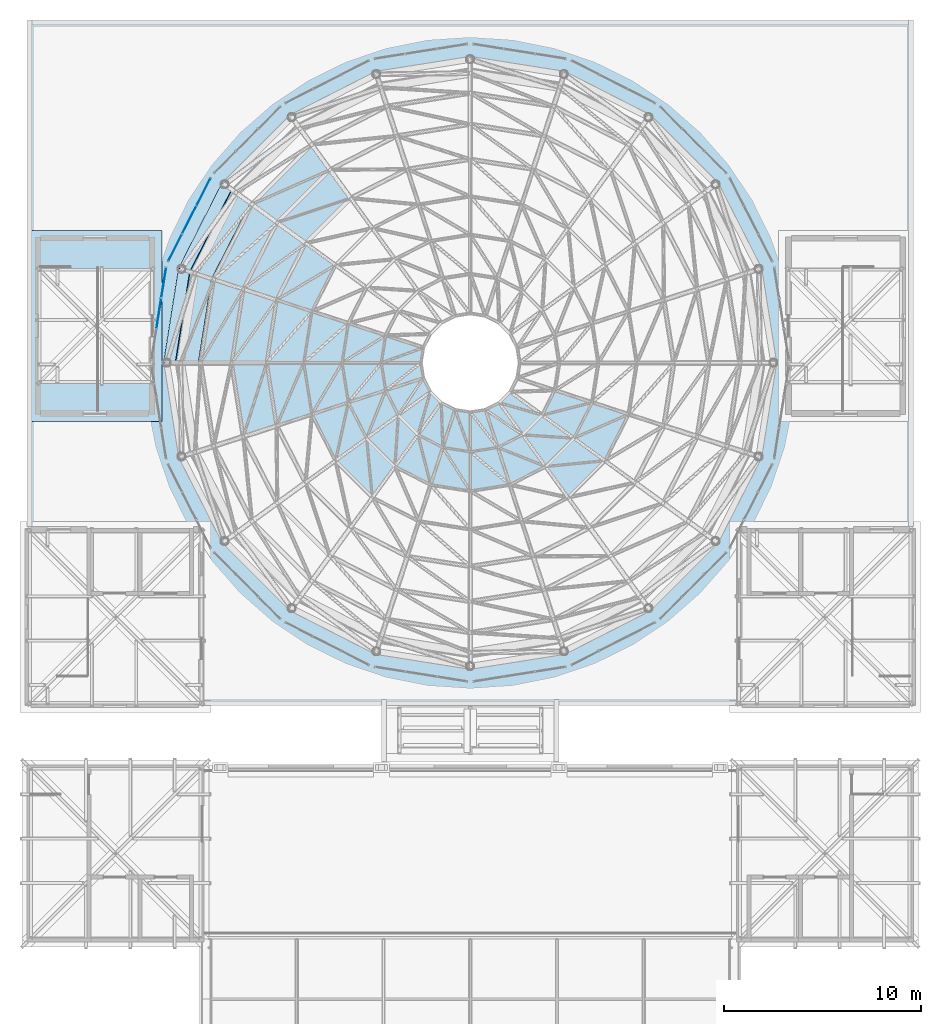
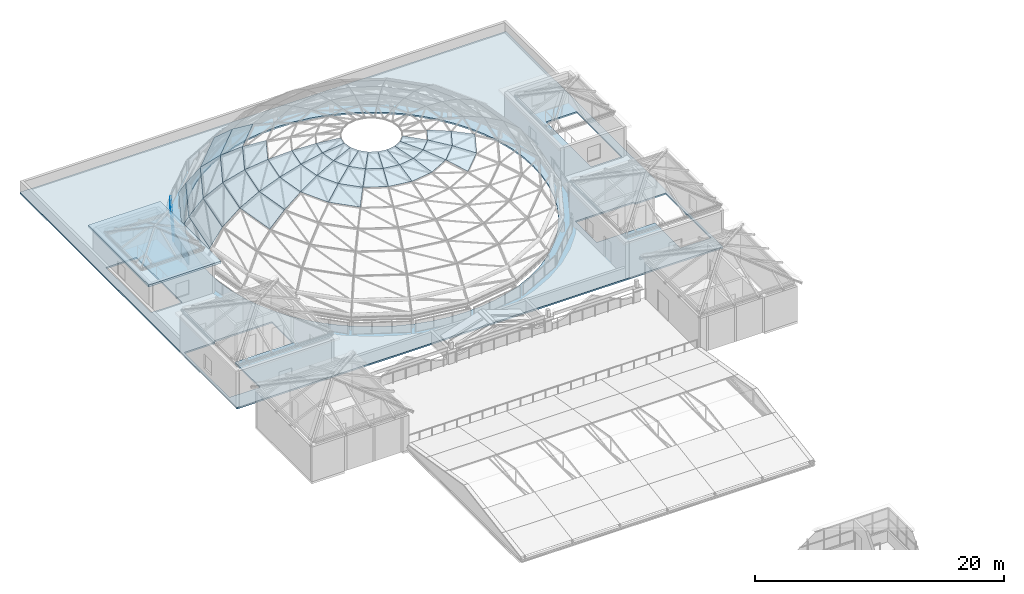
# One storey, part 43 of 69: 44 plates, 2 slabs, 2 elements without a shape of their own.
"""IFC4 building model written with IfcOpenShell, lengths in metres."""

import ifcopenshell
import ifcopenshell.guid

model = None  # the IFC model being written
_history = None  # IfcOwnerHistory: only IFC2X3 demands one
_inside = {}  # id of a spatial element -> (the spatial element, [elements in it])
_under = {}  # id of a project, library or spatial element -> (it, [spatial elements below it])
_declared = {}  # id of a project -> (the project, [libraries it declares])
_typed = {}  # id of a type object -> (the type object, [elements of that type])
_made_of = {}  # id of a material, layer set ... -> (it, [elements and type objects made of it])


def new_model(schema):
    """Start an empty IFC model of exactly this schema.

    Asked for "IFC4X3", IfcOpenShell would pick the latest addendum, in which some entities
    have other attributes; the version numbers below select the first issue.
    IFC2X3 requires an IfcOwnerHistory on every rooted entity: one is made here for all.
    """
    global model, _history
    if schema == "IFC4X3":
        model = ifcopenshell.file(schema_version=(4, 3, 0, 0))
    else:
        model = ifcopenshell.file(schema=schema)
    _inside.clear()
    _under.clear()
    _declared.clear()
    _typed.clear()
    _made_of.clear()
    _history = None
    if model.schema == "IFC2X3":
        org = make("IfcOrganization", Name="unknown")
        user = make(
            "IfcPersonAndOrganization",
            ThePerson=make("IfcPerson", FamilyName="unknown"),
            TheOrganization=org,
        )
        app = make(
            "IfcApplication",
            ApplicationDeveloper=org,
            Version="unknown",
            ApplicationFullName="unknown",
            ApplicationIdentifier="unknown",
        )
        _history = make(
            "IfcOwnerHistory",
            OwningUser=user,
            OwningApplication=app,
            ChangeAction="ADDED",
            CreationDate=0,
        )
    return model


def make(cls, **values):
    """One entity of the class cls with the attributes given. An attribute that is None is left unset."""
    return model.create_entity(
        cls, **{name: value for name, value in values.items() if value is not None}
    )


def rooted(cls, **values):
    """An entity with a GlobalId (a new one), such as an element, a storey or a relation."""
    return make(cls, GlobalId=ifcopenshell.guid.new(), OwnerHistory=_history, **values)


def si_unit(unit_type, name, prefix=None):
    """IfcSIUnit, for example si_unit("LENGTHUNIT", "METRE", prefix="MILLI")."""
    return make("IfcSIUnit", UnitType=unit_type, Prefix=prefix, Name=name)


def assignment(units):
    """IfcUnitAssignment: the units of a project."""
    return None if units is None else make("IfcUnitAssignment", Units=units)


def point(xyz):
    """IfcCartesianPoint."""
    return None if xyz is None else make("IfcCartesianPoint", Coordinates=xyz)


def direction(xyz):
    """IfcDirection."""
    return None if xyz is None else make("IfcDirection", DirectionRatios=xyz)


def frame(location, z_axis=None, x_axis=None):
    """IfcAxis2Placement3D, a coordinate frame: its origin and axes. An axis left out is left unset."""
    return make(
        "IfcAxis2Placement3D",
        Location=point(location),
        Axis=direction(z_axis),
        RefDirection=direction(x_axis),
    )


def frame_2d(location, x_axis=None):
    """IfcAxis2Placement2D, a coordinate frame in the plane: its origin and x axis."""
    return make(
        "IfcAxis2Placement2D", Location=point(location), RefDirection=direction(x_axis)
    )


def origin():
    """The frame at (0, 0, 0) with its axes left unset."""
    return frame((0.0, 0.0, 0.0))


def origin_2d():
    """The frame at (0, 0) in the plane with its x axis left unset."""
    return frame_2d((0.0, 0.0))


def place(relative_to, where):
    """IfcLocalPlacement: puts the frame where relative to a parent placement (None: the world)."""
    return make(
        "IfcLocalPlacement", PlacementRelTo=relative_to, RelativePlacement=where
    )


def context(
    kind, dimensions, precision=None, world=None, true_north=None, identifier=None
):
    """IfcGeometricRepresentationContext, for example the 3D "Model" context."""
    return make(
        "IfcGeometricRepresentationContext",
        ContextIdentifier=identifier,
        ContextType=kind,
        CoordinateSpaceDimension=dimensions,
        Precision=precision,
        WorldCoordinateSystem=world,
        TrueNorth=true_north,
    )


def subcontext(parent, identifier, kind, view, scale=None):
    """IfcGeometricRepresentationSubContext, for example "Body" below "Model"."""
    return make(
        "IfcGeometricRepresentationSubContext",
        ContextIdentifier=identifier,
        ContextType=kind,
        ParentContext=parent,
        TargetScale=scale,
        TargetView=view,
    )


def project(units=None, contexts=None):
    """IfcProject with its units and contexts."""
    return rooted(
        "IfcProject",
        Name="project",
        RepresentationContexts=contexts,
        UnitsInContext=assignment(units),
    )


def spatial(cls, under=None, at=None, **own):
    """A site, building, storey or space (cls), placed at a placement, below another one or the project."""
    s = rooted(cls, ObjectPlacement=at, **own)
    if under is not None:
        _under.setdefault(under.id(), (under, []))[1].append(s)
    return s


def polyline(points):
    """IfcPolyline through the points."""
    return make("IfcPolyline", Points=[point(p) for p in points])


def profile(cls, at=None, kind="AREA", **sizes):
    """A parametric profile (cls). Its sizes go by their IFC names, for example OverallWidth=200.0."""
    return make(cls, ProfileType=kind, Position=at, **sizes)


def rectangle(**sizes):
    """IfcRectangleProfileDef."""
    return profile("IfcRectangleProfileDef", **sizes)


def outline(outer, holes=None, kind="AREA"):
    """IfcArbitraryClosedProfileDef: a profile drawn as a closed curve; with holes, ...WithVoids."""
    if holes is None:
        return make("IfcArbitraryClosedProfileDef", ProfileType=kind, OuterCurve=outer)
    return make(
        "IfcArbitraryProfileDefWithVoids",
        ProfileType=kind,
        OuterCurve=outer,
        InnerCurves=holes,
    )


def extrude(swept, where, along, depth):
    """IfcExtrudedAreaSolid: the profile swept, set in the frame where, extruded along a direction by depth."""
    return make(
        "IfcExtrudedAreaSolid",
        SweptArea=swept,
        Position=where,
        ExtrudedDirection=direction(along),
        Depth=depth,
    )


def shape(context_of_items, identifier, shape_type, items):
    """IfcShapeRepresentation: the items that make up one representation, for example the "Body"."""
    return make(
        "IfcShapeRepresentation",
        ContextOfItems=context_of_items,
        RepresentationIdentifier=identifier,
        RepresentationType=shape_type,
        Items=items,
    )


def material(Name=None, Category=None):
    """IfcMaterial."""
    return make("IfcMaterial", Name=Name, Category=Category)


def layer(
    of_material, thickness, ventilated=None, Name=None, Category=None, Priority=None
):
    """IfcMaterialLayer: one layer of a wall or slab, of a material (None: an air gap)."""
    return make(
        "IfcMaterialLayer",
        Material=of_material,
        LayerThickness=thickness,
        IsVentilated=ventilated,
        Name=Name,
        Category=Category,
        Priority=Priority,
    )


def layer_set(layers, Name=None):
    """IfcMaterialLayerSet."""
    return make("IfcMaterialLayerSet", MaterialLayers=layers, LayerSetName=Name)


def made_of(thing, what):
    """Note that an element or type object is made of a material, layer set ...; save() writes the relation."""
    if what is not None:
        _made_of.setdefault(what.id(), (what, []))[1].append(thing)
    return thing


def type_object(cls, material=None, **own):
    """A type object (cls), such as IfcWallType, which elements share."""
    return made_of(rooted(cls, **own), material)


def element(
    cls,
    number,
    at=None,
    inside=None,
    cuts=None,
    type_object=None,
    material=None,
    context=None,
    identifier="Body",
    shape_type=None,
    held_by="IfcProductDefinitionShape",
    body=None,
    shapes=None,
    **own,
):
    """One element of the class cls, such as IfcWall. Its Tag is "e" and its number.

    at: its placement. inside: the storey or other place that contains it. cuts: it is an
    opening in that element (IfcRelVoidsElement). A single representation is given by context,
    identifier, shape_type and body (its items); several are given by shapes. held_by: the class
    of the entity that holds the representations. save() writes the other relations.
    """
    e = rooted(cls, Tag="e%d" % number, ObjectPlacement=at, **own)
    if body is not None:
        shapes = [shape(context, identifier, shape_type, body)]
    if shapes is not None:
        e.Representation = make(held_by, Representations=shapes)
    if inside is not None:
        _inside.setdefault(inside.id(), (inside, []))[1].append(e)
    if cuts is not None:
        rooted(
            "IfcRelVoidsElement", RelatingBuildingElement=cuts, RelatedOpeningElement=e
        )
    if type_object is not None:
        _typed.setdefault(type_object.id(), (type_object, []))[1].append(e)
    return made_of(e, material)


def aggregate(whole, parts):
    """IfcRelAggregates: a whole, such as a stair, and the parts it consists of."""
    return rooted("IfcRelAggregates", RelatingObject=whole, RelatedObjects=parts)


def save(model, path):
    """Write the relations noted so far, then the file.

    IfcRelAggregates (storeys below a building ...), IfcRelContainedInSpatialStructure (elements
    in a storey), IfcRelDefinesByType, IfcRelAssociatesMaterial and IfcRelDeclares: one each for
    every whole, place, type object, material and project.
    """
    for whole, parts in _under.values():
        aggregate(whole, parts)
    for where, things in _inside.values():
        rooted(
            "IfcRelContainedInSpatialStructure",
            RelatedElements=things,
            RelatingStructure=where,
        )
    for kind, things in _typed.values():
        rooted("IfcRelDefinesByType", RelatedObjects=things, RelatingType=kind)
    for what, things in _made_of.values():
        rooted("IfcRelAssociatesMaterial", RelatedObjects=things, RelatingMaterial=what)
    for by, libraries in _declared.values():
        rooted("IfcRelDeclares", RelatingContext=by, RelatedDefinitions=libraries)
    model.write(path)


model = new_model("IFC4")

# Units and contexts
model_context = context("Model", 3, precision=1e-05, world=origin(), true_north=direction((0.0, 1.0)))
body_context = subcontext(model_context, "Body", "Model", "MODEL_VIEW")
ifc_project = project(units=[si_unit("LENGTHUNIT", "METRE"), si_unit("AREAUNIT", "SQUARE_METRE"), si_unit("VOLUMEUNIT", "CUBIC_METRE"), si_unit("PLANEANGLEUNIT", "RADIAN"), si_unit("MASSUNIT", "GRAM", prefix="KILO")], contexts=[model_context])

# Site, building, storey
site_placement = place(None, origin())
site = spatial("IfcSite", under=ifc_project, at=site_placement, CompositionType="ELEMENT")
building_placement = place(site_placement, origin())
building = spatial("IfcBuilding", under=site, at=building_placement, Name="Kallimachos Central Library", CompositionType="ELEMENT")
storey_placement = place(building_placement, frame((0.0, 0.0, 23.39990234375)))
storey = spatial("IfcBuildingStorey", under=building, at=storey_placement, Name="L05", CompositionType="ELEMENT", Elevation=23.39990234375)

# Plates
ifc_material_1 = material(Name="Laminated glass", Category="glass")
ifc_layer_1 = layer(ifc_material_1, 0.030029296875)
ifc_layer_set_1 = layer_set([ifc_layer_1], Name="Dome glass panel 30")
plate_type_1 = type_object("IfcPlateType", Name="Dome glass panel 30", PredefinedType="SHEET", material=ifc_layer_set_1)
plate_1_placement = place(storey_placement, frame((85.607177734375, 105.177490234375, 8.371826171875), z_axis=(-0.125332004224, 0.019854296883, 0.991916173682), x_axis=(-0.943536520908, 0.306634201661, -0.12535669142)))
element("IfcPlate", 1, at=plate_1_placement, inside=storey, type_object=plate_type_1, Name="Dome glass panel", PredefinedType="SHEET", context=body_context, shape_type="SweptSolid", body=[
    extrude(outline(polyline([(0.0, 0.0), (2.0350755612607627, -9.280770596475918e-17), (1.8149171829137658, 1.4019283896226322), (-0.12233582171692643, 0.777700075567828), (0.0, 0.0)])), origin(), (0.0, 0.0, -1.0), 0.030029296875),
])
plate_2_placement = place(storey_placement, frame((85.484130859375, 104.39990234375, 8.371826171875), z_axis=(-0.125331316641, -0.019858637576, 0.991916173667), x_axis=(-0.992111820662, 1.49875e-07, -0.125356034172)))
element("IfcPlate", 2, at=plate_2_placement, inside=storey, type_object=plate_type_1, Name="Dome glass panel", PredefinedType="SHEET", context=body_context, shape_type="SweptSolid", body=[
    extrude(outline(polyline([(0.0, 0.0), (2.035340313574841, 1.734723475976807e-18), (1.8149246355750308, 1.4016438667493565), (-0.12207637568772577, 0.777496750716245), (0.0, 0.0)])), origin(), (0.0, 0.0, -1.0), 0.030029296875),
])
plate_3_placement = place(storey_placement, frame((85.607177734375, 103.62255859375, 8.371826171875), z_axis=(-0.113068264415, -0.057608498402, 0.99191573659), x_axis=(-0.943535797581, -0.306634195286, -0.125362151247)))
element("IfcPlate", 3, at=plate_3_placement, inside=storey, type_object=plate_type_1, Name="Dome glass panel", PredefinedType="SHEET", context=body_context, shape_type="SweptSolid", body=[
    extrude(outline(polyline([(0.0, 0.0), (2.0350755613221274, -1.1275702593849246e-17), (1.8150326973507178, 1.4015967266766933), (-0.12216219838901854, 0.77769609807286), (0.0, 0.0)])), origin(), (0.0, 0.0, -1.0), 0.030029296875),
])
plate_4_placement = place(storey_placement, frame((85.964599609375, 102.921142578125, 8.371826171875), z_axis=(-0.089729242286, -0.089729242286, 0.991915987449), x_axis=(-0.802651995578, -0.583125295248, -0.125358143085)))
element("IfcPlate", 4, at=plate_4_placement, inside=storey, type_object=plate_type_1, Name="Dome glass panel", PredefinedType="SHEET", context=body_context, shape_type="SweptSolid", body=[
    extrude(outline(polyline([(0.0, 0.0), (2.0351845268877033, 2.0122792321330962e-16), (1.814907491156347, 1.4018463780137107), (-0.12219747967578876, 0.7776666038616205), (0.0, 0.0)])), origin(), (0.0, 0.0, -1.0), 0.030029296875),
])
plate_5_placement = place(storey_placement, frame((86.521240234375, 102.364501953125, 8.371826171875), z_axis=(-0.057594257608, -0.11306787808, 0.991916607602), x_axis=(-0.583125640684, -0.802652673725, -0.125352193993)))
element("IfcPlate", 5, at=plate_5_placement, inside=storey, type_object=plate_type_1, Name="Dome glass panel", PredefinedType="SHEET", context=body_context, shape_type="SweptSolid", body=[
    extrude(outline(polyline([(0.0, 0.0), (2.0351845268510993, 1.7607443281164592e-16), (1.8149631366715384, 1.4015686873659563), (-0.12232400000625315, 0.7775584864059989), (0.0, 0.0)])), origin(), (0.0, 0.0, -1.0), 0.030029296875),
])
plate_6_placement = place(storey_placement, frame((87.22265625, 102.00732421875, 8.371826171875), z_axis=(-0.019858637576, -0.125331316641, 0.991916173667), x_axis=(-0.306599184583, -0.94354771404, -0.125358092451)))
element("IfcPlate", 6, at=plate_6_placement, inside=storey, type_object=plate_type_1, Name="Dome glass panel", PredefinedType="SHEET", context=body_context, shape_type="SweptSolid", body=[
    extrude(outline(polyline([(0.0, 0.0), (2.035305918223629, -5.117434254131581e-17), (1.8150436019535456, 1.401629298884149), (-0.12200200393580925, 0.7775470988958623), (0.0, 0.0)])), origin(), (0.0, 0.0, -1.0), 0.030029296875),
])
plate_7_placement = place(storey_placement, frame((88.0, 101.884033203125, 8.371826171875), z_axis=(0.019858637576, -0.125331316641, 0.991916173667), x_axis=(1.48689e-07, -0.992111819918, -0.125356040056)))
element("IfcPlate", 7, at=plate_7_placement, inside=storey, type_object=plate_type_1, Name="Dome glass panel", PredefinedType="SHEET", context=body_context, shape_type="SweptSolid", body=[
    extrude(outline(polyline([(0.0, 0.0), (2.035098098774965, -1.734723475976807e-18), (1.8149250541382458, 1.4016433247707958), (-0.12231835830898213, 0.7774973949707614), (0.0, 0.0)])), origin(), (0.0, 0.0, -1.0), 0.030029296875),
])
plate_8_placement = place(storey_placement, frame((88.77734375, 102.00732421875, 8.371826171875), z_axis=(0.057594257608, -0.11306787808, 0.991916607602), x_axis=(0.306598987848, -0.943547974243, -0.125356615112)))
element("IfcPlate", 8, at=plate_8_placement, inside=storey, type_object=plate_type_1, Name="Dome glass panel", PredefinedType="SHEET", context=body_context, shape_type="SweptSolid", body=[
    extrude(outline(polyline([(0.0, 0.0), (2.0353059182440663, -6.678685382510707e-17), (1.8152107041385026, 1.4015885069538683), (-0.12196088726327411, 0.7776155237245927), (0.0, 0.0)])), origin(), (0.0, 0.0, -1.0), 0.030029296875),
])
plate_9_placement = place(storey_placement, frame((89.478759765625, 102.364501953125, 8.371826171875), z_axis=(0.089729242286, -0.089729242286, 0.991915987449), x_axis=(0.583125295248, -0.802651995578, -0.125358143085)))
element("IfcPlate", 9, at=plate_9_placement, inside=storey, type_object=plate_type_1, Name="Dome glass panel", PredefinedType="SHEET", context=body_context, shape_type="SweptSolid", body=[
    extrude(outline(polyline([(0.0, 0.0), (2.0351845268877033, 2.0122792321330962e-16), (1.814907491156347, 1.4018463780137107), (-0.12219747967578876, 0.7776666038616205), (0.0, 0.0)])), origin(), (0.0, 0.0, -1.0), 0.030029296875),
])
plate_10_placement = place(storey_placement, frame((83.68701171875, 105.801513671875, 8.11669921875), z_axis=(-0.201147794281, 0.031856894976, 0.979042748351), x_axis=(-0.931637370909, 0.302570401301, -0.201253475456)))
element("IfcPlate", 10, at=plate_10_placement, inside=storey, type_object=plate_type_1, Name="Dome glass panel", PredefinedType="SHEET", context=body_context, shape_type="SweptSolid", body=[
    extrude(outline(polyline([(0.0, 0.0), (2.0406174555352194, -1.734723475976807e-18), (1.7274475580152282, 2.0200471652577447), (-0.2171061197127891, 1.4024043114720597), (0.0, 0.0)])), origin(), (0.0, 0.0, -1.0), 0.030029296875),
])
plate_11_placement = place(storey_placement, frame((83.46484375, 104.39990234375, 8.11669921875), z_axis=(-0.201145578016, -0.031858817817, 0.979043141119), x_axis=(-0.979540372133, -6.58988e-07, -0.201247756163)))
element("IfcPlate", 11, at=plate_11_placement, inside=storey, type_object=plate_type_1, Name="Dome glass panel", PredefinedType="SHEET", context=body_context, shape_type="SweptSolid", body=[
    extrude(outline(polyline([(0.0, 0.0), (2.0402871611691547, 1.734723475976807e-18), (1.7272469030405464, 2.020067259029489), (-0.21762157130183088, 1.4020804008555383), (0.0, 0.0)])), origin(), (0.0, 0.0, -1.0), 0.030029296875),
])
plate_12_placement = place(storey_placement, frame((83.68701171875, 102.99853515625, 8.11669921875), z_axis=(-0.181447397895, -0.09246093072, 0.979044339184), x_axis=(-0.931605080628, -0.302678514571, -0.201240380059)))
element("IfcPlate", 12, at=plate_12_placement, inside=storey, type_object=plate_type_1, Name="Dome glass panel", PredefinedType="SHEET", context=body_context, shape_type="SweptSolid", body=[
    extrude(outline(polyline([(0.0, 0.0), (2.0406913388597427, 1.0408340855860843e-17), (1.7272194643852659, 2.0200065673212424), (-0.21735958355655594, 1.402015355490807), (0.0, 0.0)])), origin(), (0.0, 0.0, -1.0), 0.030029296875),
])
plate_13_placement = place(storey_placement, frame((84.3310546875, 101.734375, 8.11669921875), z_axis=(-0.144010592367, -0.143996235814, 0.979043427718), x_axis=(-0.792458391649, -0.575768023743, -0.201248305183)))
element("IfcPlate", 13, at=plate_13_placement, inside=storey, type_object=plate_type_1, Name="Dome glass panel", PredefinedType="SHEET", context=body_context, shape_type="SweptSolid", body=[
    extrude(outline(polyline([(0.0, 0.0), (2.0404168231116144, -9.540979117872439e-17), (1.7273720941125268, 2.020040895959696), (-0.21743100881201105, 1.4022906247351943), (0.0, 0.0)])), origin(), (0.0, 0.0, -1.0), 0.030029296875),
])
plate_14_placement = place(storey_placement, frame((85.33447265625, 100.73095703125, 8.11669921875), z_axis=(-0.09244612001, -0.181460865166, 0.979043241797), x_axis=(-0.575846899746, -0.792402612679, -0.201242260654)))
element("IfcPlate", 14, at=plate_14_placement, inside=storey, type_object=plate_type_1, Name="Dome glass panel", PredefinedType="SHEET", context=body_context, shape_type="SweptSolid", body=[
    extrude(outline(polyline([(0.0, 0.0), (2.0405574010418808, -2.706168622523819e-16), (1.7269657535293008, 2.0200959418193887), (-0.21762137564385742, 1.4019747441040549), (0.0, 0.0)])), origin(), (0.0, 0.0, -1.0), 0.030029296875),
])
plate_15_placement = place(storey_placement, frame((86.5986328125, 100.0869140625, 8.11669921875), z_axis=(-0.031858817817, -0.201145578016, 0.979043141119), x_axis=(-0.302713516239, -0.931592221414, -0.201247261066)))
element("IfcPlate", 15, at=plate_15_placement, inside=storey, type_object=plate_type_1, Name="Dome glass panel", PredefinedType="SHEET", context=body_context, shape_type="SweptSolid", body=[
    extrude(outline(polyline([(0.0, 0.0), (2.0404638977366996, -1.9081958235744878e-17), (1.727218055636037, 2.020074029068446), (-0.2174702768424365, 1.402065211869158), (0.0, 0.0)])), origin(), (0.0, 0.0, -1.0), 0.030029296875),
])
plate_16_placement = place(storey_placement, frame((88.0, 99.864990234375, 8.11669921875), z_axis=(0.031858817817, -0.201145578016, 0.979043141119), x_axis=(-1.07812e-07, -0.979540377052, -0.201247732222)))
element("IfcPlate", 16, at=plate_16_placement, inside=storey, type_object=plate_type_1, Name="Dome glass panel", PredefinedType="SHEET", context=body_context, shape_type="SweptSolid", body=[
    extrude(outline(polyline([(0.0, 0.0), (2.0405263067684203, 0.0), (1.7272453532670506, 2.0200685841533828), (-0.2173835013622884, 1.4020786686128224), (0.0, 0.0)])), origin(), (0.0, 0.0, -1.0), 0.030029296875),
])
plate_17_placement = place(storey_placement, frame((89.4013671875, 100.0869140625, 8.11669921875), z_axis=(0.09244612001, -0.181460865166, 0.979043241797), x_axis=(0.302713494178, -0.931591709031, -0.201249666104)))
element("IfcPlate", 17, at=plate_17_placement, inside=storey, type_object=plate_type_1, Name="Dome glass panel", PredefinedType="SHEET", context=body_context, shape_type="SweptSolid", body=[
    extrude(outline(polyline([(0.0, 0.0), (2.0404638977475056, 1.0234868508263162e-16), (1.7273694871120813, 2.020173068223036), (-0.21730675184781617, 1.4020235453957637), (0.0, 0.0)])), origin(), (0.0, 0.0, -1.0), 0.030029296875),
])
plate_18_placement = place(storey_placement, frame((90.66552734375, 100.73095703125, 8.11669921875), z_axis=(0.144010592367, -0.143996235814, 0.979043427718), x_axis=(0.575845968847, -0.792401764456, -0.201248264215)))
element("IfcPlate", 18, at=plate_18_placement, inside=storey, type_object=plate_type_1, Name="Dome glass panel", PredefinedType="SHEET", context=body_context, shape_type="SweptSolid", body=[
    extrude(outline(polyline([(0.0, 0.0), (2.040557400991909, -2.42861286636753e-17), (1.7273731451893326, 2.0200192686262053), (-0.21729597655061939, 1.402311555392789), (0.0, 0.0)])), origin(), (0.0, 0.0, -1.0), 0.030029296875),
])
plate_19_placement = place(storey_placement, frame((91.6689453125, 101.734375, 8.11669921875), z_axis=(0.181447397895, -0.09246093072, 0.979044339184), x_axis=(0.792459642925, -0.575768162839, -0.201242979991)))
element("IfcPlate", 19, at=plate_19_placement, inside=storey, type_object=plate_type_1, Name="Dome glass panel", PredefinedType="SHEET", context=body_context, shape_type="SweptSolid", body=[
    extrude(outline(polyline([(0.0, 0.0), (2.0404168230030773, 1.5612511283791264e-17), (1.7273555602155906, 2.020070244780957), (-0.2174851096542516, 1.4019958889649327), (0.0, 0.0)])), origin(), (0.0, 0.0, -1.0), 0.030029296875),
])
plate_20_placement = place(storey_placement, frame((81.785888671875, 106.4189453125, 7.7060546875), z_axis=(-0.282758662531, 0.044765041952, 0.958145933448), x_axis=(-0.91214970962, 0.296436270499, -0.283034352637)))
element("IfcPlate", 20, at=plate_20_placement, inside=storey, type_object=plate_type_1, Name="Dome glass panel", PredefinedType="SHEET", context=body_context, shape_type="SweptSolid", body=[
    extrude(outline(polyline([(0.0, 0.0), (2.041671340879096, -4.163336342344337e-17), (1.6427663931694807, 2.6268456630248074), (-0.30701269217106125, 2.0209921183657635), (0.0, 0.0)])), origin(), (0.0, 0.0, -1.0), 0.030029296875),
])
plate_21_placement = place(storey_placement, frame((81.46630859375, 104.39990234375, 7.7060546875), z_axis=(-0.282760860823, -0.044767743818, 0.95814515847), x_axis=(-0.959106744278, 5.10014e-07, -0.283044613234)))
element("IfcPlate", 21, at=plate_21_placement, inside=storey, type_object=plate_type_1, Name="Dome glass panel", PredefinedType="SHEET", context=body_context, shape_type="SweptSolid", body=[
    extrude(outline(polyline([(0.0, 0.0), (2.0417387195742798, 6.938893903907228e-18), (1.6432023034632603, 2.6266577048495647), (-0.30651243800659056, 2.0210680495221838), (0.0, 0.0)])), origin(), (0.0, 0.0, -1.0), 0.030029296875),
])
plate_22_placement = place(storey_placement, frame((81.785888671875, 102.380859375, 7.7060546875), z_axis=(-0.25507469904, -0.129982986169, 0.958144728742), x_axis=(-0.912183163606, -0.296328667701, -0.283039214125)))
element("IfcPlate", 22, at=plate_22_placement, inside=storey, type_object=plate_type_1, Name="Dome glass panel", PredefinedType="SHEET", context=body_context, shape_type="SweptSolid", body=[
    extrude(outline(polyline([(0.0, 0.0), (2.041598982027025, 9.367506770274758e-17), (1.6427713646739002, 2.6269423226505966), (-0.30700891771943883, 2.020998929323573), (0.0, 0.0)])), origin(), (0.0, 0.0, -1.0), 0.030029296875),
])
plate_23_placement = place(storey_placement, frame((82.714111328125, 100.5595703125, 7.7060546875), z_axis=(-0.202438057846, -0.202423190186, 0.958145962164), x_axis=(-0.775907941136, -0.563785025575, -0.283042950485)))
element("IfcPlate", 23, at=plate_23_placement, inside=storey, type_object=plate_type_1, Name="Dome glass panel", PredefinedType="SHEET", context=body_context, shape_type="SweptSolid", body=[
    extrude(outline(polyline([(0.0, 0.0), (2.041766525736477, -1.249000902703301e-16), (1.6432592417412746, 2.626772655984004), (-0.30644625856870955, 2.02105242726169), (0.0, 0.0)])), origin(), (0.0, 0.0, -1.0), 0.030029296875),
])
plate_24_placement = place(storey_placement, frame((91.840576171875, 99.114013671875, 7.7060546875), z_axis=(0.202438057846, -0.202423190186, 0.958145962164), x_axis=(0.563708989921, -0.775965786745, -0.283035814841)))
element("IfcPlate", 24, at=plate_24_placement, inside=storey, type_object=plate_type_1, Name="Dome glass panel", PredefinedType="SHEET", context=body_context, shape_type="SweptSolid", body=[
    extrude(outline(polyline([(0.0, 0.0), (2.0416288921893755, 4.85722573273506e-17), (1.642870090538563, 2.62673448595942), (-0.3069668464320392, 2.020973423457789), (0.0, 0.0)])), origin(), (0.0, 0.0, -1.0), 0.030029296875),
])
plate_25_placement = place(storey_placement, frame((93.285888671875, 100.5595703125, 7.7060546875), z_axis=(0.25507469904, -0.129982986169, 0.958144728742), x_axis=(0.775907022147, -0.563785915189, -0.283043697719)))
element("IfcPlate", 25, at=plate_25_placement, inside=storey, type_object=plate_type_1, Name="Dome glass panel", PredefinedType="SHEET", context=body_context, shape_type="SweptSolid", body=[
    extrude(outline(polyline([(0.0, 0.0), (2.041766525714073, 4.163336342344337e-17), (1.6430176431073793, 2.62695427510956), (-0.30660264382451397, 2.021060604407029), (0.0, 0.0)])), origin(), (0.0, 0.0, -1.0), 0.030029296875),
])
plate_26_placement = place(storey_placement, frame((81.1298828125, 109.391357421875, 7.128173828125), z_axis=(-0.326814272817, 0.166520879886, 0.93030276128), x_axis=(-0.753863276457, 0.547734234301, -0.36287376453)))
element("IfcPlate", 26, at=plate_26_placement, inside=storey, type_object=plate_type_1, Name="Dome glass panel", PredefinedType="SHEET", context=body_context, shape_type="SweptSolid", body=[
    extrude(outline(polyline([(0.0, 0.0), (2.0454319090529953, -4.163336342344337e-17), (1.5710350329397023, 3.218425190830349), (-0.3872052458013847, 2.6284606936499486), (0.0, 0.0)])), origin(), (0.0, 0.0, -1.0), 0.030029296875),
])
plate_27_placement = place(storey_placement, frame((79.923583984375, 107.024169921875, 7.128173828125), z_axis=(-0.36227698329, 0.057379461971, 0.930302630719), x_axis=(-0.886237494394, 0.287930415647, -0.362876258903)))
element("IfcPlate", 27, at=plate_27_placement, inside=storey, type_object=plate_type_1, Name="Dome glass panel", PredefinedType="SHEET", context=body_context, shape_type="SweptSolid", body=[
    extrude(outline(polyline([(0.0, 0.0), (2.0451804560516074, -1.3183898417423734e-16), (1.5711455379570305, 3.218484226856462), (-0.38735054256062673, 2.628574299943797), (0.0, 0.0)])), origin(), (0.0, 0.0, -1.0), 0.030029296875),
])
plate_28_placement = place(storey_placement, frame((79.508056640625, 104.39990234375, 7.128173828125), z_axis=(-0.362273431763, -0.057381299347, 0.930303900413), x_axis=(-0.931839279246, 9.9191e-07, -0.362871268708)))
element("IfcPlate", 28, at=plate_28_placement, inside=storey, type_object=plate_type_1, Name="Dome glass panel", PredefinedType="SHEET", context=body_context, shape_type="SweptSolid", body=[
    extrude(outline(polyline([(0.0, 0.0), (2.0454096459824194, 0.0), (1.5710693257300832, 3.2184392309447873), (-0.38720730330172376, 2.6283516653927603), (0.0, 0.0)])), origin(), (0.0, 0.0, -1.0), 0.030029296875),
])
plate_29_placement = place(storey_placement, frame((81.88818359375, 112.81201171875, 6.385986328125), z_axis=(-0.344906838726, 0.344906838726, 0.872971102156), x_axis=(-0.514590986254, 0.708336158693, -0.483172850183)))
element("IfcPlate", 29, at=plate_29_placement, inside=storey, type_object=plate_type_1, Name="Dome glass panel", PredefinedType="SHEET", context=body_context, shape_type="SweptSolid", body=[
    extrude(outline(polyline([(0.0, 0.0), (2.051462405480206, -1.5265566588595902e-16), (1.5287856097182972, 3.77922759893425), (-0.44567065788857074, 3.222432799742851), (0.0, 0.0)])), origin(), (0.0, 0.0, -1.0), 0.030029296875),
])
plate_30_placement = place(storey_placement, frame((79.587890625, 110.51171875, 6.385986328125), z_axis=(-0.434598869275, 0.221427079349, 0.87297988027), x_axis=(-0.708342114555, 0.514594020767, -0.483160886806)))
element("IfcPlate", 30, at=plate_30_placement, inside=storey, type_object=plate_type_1, Name="Dome glass panel", PredefinedType="SHEET", context=body_context, shape_type="SweptSolid", body=[
    extrude(outline(polyline([(0.0, 0.0), (2.0514624052875705, 1.249000902703301e-16), (1.529071391987081, 3.779028679352937), (-0.4455599017620744, 3.222543945494296), (0.0, 0.0)])), origin(), (0.0, 0.0, -1.0), 0.030029296875),
])
plate_31_placement = place(storey_placement, frame((78.111083984375, 107.613037109375, 6.385986328125), z_axis=(-0.481750522697, 0.076315913688, 0.872978988979), x_axis=(-0.832662169385, 0.270612765743, -0.483158817255)))
element("IfcPlate", 31, at=plate_31_placement, inside=storey, type_object=plate_type_1, Name="Dome glass panel", PredefinedType="SHEET", context=body_context, shape_type="SweptSolid", body=[
    extrude(outline(polyline([(0.0, 0.0), (2.0515467349962972, 5.551115123125783e-17), (1.5288296854103376, 3.779318631732092), (-0.44566259442921047, 3.222535442115534), (0.0, 0.0)])), origin(), (0.0, 0.0, -1.0), 0.030029296875),
])
plate_32_placement = place(storey_placement, frame((77.60205078125, 104.39990234375, 6.385986328125), z_axis=(-0.481754063023, -0.076319143399, 0.872976752904), x_axis=(-0.875530281587, -1.90506e-07, -0.483163249869)))
element("IfcPlate", 32, at=plate_32_placement, inside=storey, type_object=plate_type_1, Name="Dome glass panel", PredefinedType="SHEET", context=body_context, shape_type="SweptSolid", body=[
    extrude(outline(polyline([(0.0, 0.0), (2.0514939150645626, 0.0), (1.5288697455784366, 3.779088048185158), (-0.4456733715486618, 3.2225339516935962), (0.0, 0.0)])), origin(), (0.0, 0.0, -1.0), 0.030029296875),
])
plate_33_placement = place(storey_placement, frame((80.83251953125, 114.26513671875, 5.394775390625), z_axis=(-0.446723515865, 0.446723515865, 0.775162048056), x_axis=(-0.45782923703, 0.630238493172, -0.627050102819)))
element("IfcPlate", 33, at=plate_33_placement, inside=storey, type_object=plate_type_1, Name="Dome glass panel", PredefinedType="SHEET", context=body_context, shape_type="SweptSolid", body=[
    extrude(outline(polyline([(0.0, 0.0), (2.0674372158181233, 1.5265566588595902e-16), (1.5409070925067554, 4.286729437188295), (-0.46511774423140273, 3.7867423679695147), (0.0, 0.0)])), origin(), (0.0, 0.0, -1.0), 0.030029296875),
])
plate_34_placement = place(storey_placement, frame((78.134765625, 111.5673828125, 5.394775390625), z_axis=(-0.562907142311, 0.286819828693, 0.775158006476), x_axis=(-0.630141814249, 0.457961019476, -0.62705103347)))
element("IfcPlate", 34, at=plate_34_placement, inside=storey, type_object=plate_type_1, Name="Dome glass panel", PredefinedType="SHEET", context=body_context, shape_type="SweptSolid", body=[
    extrude(outline(polyline([(0.0, 0.0), (2.067395151876212, -2.7755575615628914e-17), (1.5406518662418782, 4.286946787489454), (-0.4653235458709106, 3.7864791201857346), (0.0, 0.0)])), origin(), (0.0, 0.0, -1.0), 0.030029296875),
])
plate_35_placement = place(storey_placement, frame((76.40283203125, 108.168212890625, 5.394775390625), z_axis=(-0.623990542449, 0.098828209166, 0.775157266629), x_axis=(-0.740860095709, 0.240658528864, -0.627064423381)))
element("IfcPlate", 35, at=plate_35_placement, inside=storey, type_object=plate_type_1, Name="Dome glass panel", PredefinedType="SHEET", context=body_context, shape_type="SweptSolid", body=[
    extrude(outline(polyline([(0.0, 0.0), (2.0674634791162365, 1.249000902703301e-16), (1.541324174915292, 4.286859846101945), (-0.4646390280764961, 3.7868975434156824), (0.0, 0.0)])), origin(), (0.0, 0.0, -1.0), 0.030029296875),
])
plate_36_placement = place(storey_placement, frame((76.83203125, 112.51416015625, 4.098388671875), z_axis=(-0.727132424809, 0.370480641481, 0.577946823747), x_axis=(-0.471445000162, 0.342480092095, -0.81267890236)))
element("IfcPlate", 36, at=plate_36_placement, inside=storey, type_object=plate_type_1, Name="Dome glass panel", PredefinedType="SHEET", context=body_context, shape_type="SweptSolid", body=[
    extrude(outline(polyline([(0.0, 0.0), (2.01015085108074, -2.220446049250313e-16), (1.5831047735880786, 4.665892777466114), (-0.3935223267552095, 4.301222083950132), (0.0, 0.0)])), origin(), (0.0, 0.0, -1.0), 0.030029296875),
])
plate_37_placement = place(storey_placement, frame((74.87109375, 108.665771484375, 4.098388671875), z_axis=(-0.8060385409, 0.127668681023, 0.577929561858), x_axis=(-0.554162036955, 0.180137895689, -0.812683687134)))
element("IfcPlate", 37, at=plate_37_placement, inside=storey, type_object=plate_type_1, Name="Dome glass panel", PredefinedType="SHEET", context=body_context, shape_type="SweptSolid", body=[
    extrude(outline(polyline([(0.0, 0.0), (2.009984927371299, -8.326672684688674e-17), (1.5826056906293127, 4.666111377968158), (-0.3940876697047179, 4.301009742815989), (0.0, 0.0)])), origin(), (0.0, 0.0, -1.0), 0.030029296875),
])
plate_38_placement = place(storey_placement, frame((75.88427734375, 113.20263671875, 2.46484375), z_axis=(-0.762180166759, 0.388324587715, 0.517962747671), x_axis=(-0.422850978797, 0.307203910355, -0.852539035583)))
element("IfcPlate", 38, at=plate_38_placement, inside=storey, type_object=plate_type_1, Name="Dome glass panel", PredefinedType="SHEET", context=body_context, shape_type="SweptSolid", body=[
    extrude(outline(polyline([(0.0, 0.0), (1.1253944591259133, -4.163336342344337e-17), (0.7272713434482807, 4.853290799176234), (-0.38313211420523563, 4.669703797291701), (0.0, 0.0)])), origin(), (0.0, 0.0, -1.0), 0.030029296875),
])
plate_39_placement = place(storey_placement, frame((73.75732421875, 109.02783203125, 2.46484375), z_axis=(-0.84486379975, 0.133824012983, 0.517973255507), x_axis=(-0.497119113297, 0.16137941312, -0.852542827203)))
element("IfcPlate", 39, at=plate_39_placement, inside=storey, type_object=plate_type_1, Name="Dome glass panel", PredefinedType="SHEET", context=body_context, shape_type="SweptSolid", body=[
    extrude(outline(polyline([(0.0, 0.0), (1.1254776860222402, 2.7755575615628914e-17), (0.7279770012140806, 4.853264390378992), (-0.38238756295625215, 4.670013721556641), (0.0, 0.0)])), origin(), (0.0, 0.0, -1.0), 0.030029296875),
])

# Slab
ifc_material_2 = material(Name="Concrete C30/37", Category="concrete")
ifc_layer_2 = layer(ifc_material_2, 0.199951171875)
ifc_layer_set_2 = layer_set([ifc_layer_2], Name="Head-house roof slab 200")
slab_type_1 = type_object("IfcSlabType", Name="Head-house roof slab 200", PredefinedType="ROOF", material=ifc_layer_set_2)
slab_1_placement = place(storey_placement, frame((0.0, 0.0, 3.0)))
element("IfcSlab", 40, at=slab_1_placement, inside=storey, type_object=slab_type_1, Name="Head-house roof and cornice V1-NW", PredefinedType="ROOF", context=body_context, shape_type="SweptSolid", body=[
    extrude(outline(polyline([(65.64990234375, 101.425048828125), (72.35009765625, 101.425048828125), (72.35009765625, 111.125), (65.64990234375, 111.125), (65.64990234375, 101.425048828125)])), origin(), (0.0, 0.0, 1.0), 0.2001953125),
])

# Curtain wall, plates
ifc_material_3 = material(Name="Anodised aluminium and laminated glass", Category="aluminium")
ifc_layer_3 = layer(ifc_material_3, 0.159912109375)
ifc_layer_set_3 = layer_set([ifc_layer_3], Name="Glass box curtain wall")
curtain_wall_type = type_object("IfcCurtainWallType", Name="Glass box curtain wall", PredefinedType="NOTDEFINED", material=ifc_layer_set_3)
curtain_wall_1_placement = place(storey_placement, origin())
curtain_wall_1 = element("IfcCurtainWall", 41, at=curtain_wall_1_placement, inside=storey, type_object=curtain_wall_type, Name="Drum clerestory facet 9", PredefinedType="NOTDEFINED")
ifc_material_4 = material(Name="Laminated glass", Category="glass")
ifc_layer_4 = layer(ifc_material_4, 0.028076171875)
ifc_layer_set_4 = layer_set([ifc_layer_4], Name="Laminated glass panel 28")
plate_type_2 = type_object("IfcPlateType", Name="Laminated glass panel 28", PredefinedType="CURTAIN_PANEL", material=ifc_layer_set_4)
plate_40_placement = place(storey_placement, frame((74.4677734375, 113.08447265625, 0.06005859375), z_axis=(0.0, 0.0, 1.0), x_axis=(-0.453990803653, -0.891006369337, 0.0)))
plate_40 = element("IfcPlate", 42, at=plate_40_placement, type_object=plate_type_2, Name="CW43 panel 1.1", PredefinedType="CURTAIN_PANEL", context=body_context, shape_type="SweptSolid", body=[
    extrude(rectangle(XDim=1.51953125, YDim=0.028076171875, at=origin_2d()), origin(), (0.0, 0.0, 1.0), 1.080078125),
])
plate_41_placement = place(storey_placement, frame((73.743896484375, 111.663818359375, 0.06005859375), z_axis=(0.0, 0.0, 1.0), x_axis=(-0.453990803653, -0.891006369337, 0.0)))
plate_41 = element("IfcPlate", 43, at=plate_41_placement, type_object=plate_type_2, Name="CW43 panel 2.1", PredefinedType="CURTAIN_PANEL", context=body_context, shape_type="SweptSolid", body=[
    extrude(rectangle(XDim=1.54931640625, YDim=0.028076171875, at=origin_2d()), origin(), (0.0, 0.0, 1.0), 1.080078125),
])
plate_42_placement = place(storey_placement, frame((73.02001953125, 110.2431640625, 0.06005859375), z_axis=(0.0, 0.0, 1.0), x_axis=(-0.453990803653, -0.891006369337, 0.0)))
plate_42 = element("IfcPlate", 44, at=plate_42_placement, type_object=plate_type_2, Name="CW43 panel 3.1", PredefinedType="CURTAIN_PANEL", context=body_context, shape_type="SweptSolid", body=[
    extrude(rectangle(XDim=1.51953125, YDim=0.028076171875, at=origin_2d()), origin(), (0.0, 0.0, 1.0), 1.080078125),
])
aggregate(curtain_wall_1, [plate_40, plate_41, plate_42])

curtain_wall_2_placement = place(storey_placement, origin())
curtain_wall_2 = element("IfcCurtainWall", 45, at=curtain_wall_2_placement, inside=storey, type_object=curtain_wall_type, Name="Drum clerestory facet 10", PredefinedType="NOTDEFINED")
plate_43_placement = place(storey_placement, frame((72.446533203125, 108.477783203125, 0.06005859375), z_axis=(0.0, 0.0, 1.0), x_axis=(-0.156435338924, -0.987688202185, 0.0)))
plate_43 = element("IfcPlate", 46, at=plate_43_placement, type_object=plate_type_2, Name="CW44 panel 1.1", PredefinedType="CURTAIN_PANEL", context=body_context, shape_type="SweptSolid", body=[
    extrude(rectangle(XDim=1.51953125, YDim=0.028076171875, at=origin_2d()), origin(), (0.0, 0.0, 1.0), 1.080078125),
])
plate_44_placement = place(storey_placement, frame((72.197021484375, 106.903076171875, 0.06005859375), z_axis=(0.0, 0.0, 1.0), x_axis=(-0.156435338924, -0.987688202185, 0.0)))
plate_44 = element("IfcPlate", 47, at=plate_44_placement, type_object=plate_type_2, Name="CW44 panel 2.1", PredefinedType="CURTAIN_PANEL", context=body_context, shape_type="SweptSolid", body=[
    extrude(rectangle(XDim=1.549560546875, YDim=0.028076171875, at=origin_2d()), origin(), (0.0, 0.0, 1.0), 1.080078125),
])
aggregate(curtain_wall_2, [plate_43, plate_44])

# Slab
ifc_material_5 = material(Name="Composite slab C30/37 on steel deck", Category="concrete")
ifc_layer_5 = layer(ifc_material_5, 0.14990234375)
ifc_layer_set_5 = layer_set([ifc_layer_5], Name="Roof slab 150")
slab_type_2 = type_object("IfcSlabType", Name="Roof slab 150", PredefinedType="ROOF", material=ifc_layer_set_5)
slab_2_placement = place(storey_placement, frame((0.0, 0.0, -0.14990234375)))
element("IfcSlab", 48, at=slab_2_placement, inside=storey, type_object=slab_type_2, Name="V1-SLB-L05-001", PredefinedType="ROOF", context=body_context, shape_type="SweptSolid", body=[
    extrude(outline(polyline([(65.5, 121.800048828125), (110.5, 121.800048828125), (110.5, 87.0), (65.5, 87.0), (65.5, 121.800048828125)]), holes=[polyline([(65.699951171875, 95.800048828125), (65.699951171875, 88.553955078125), (68.550048828125, 88.553955078125), (68.550048828125, 92.60009765625), (73.949951171875, 92.60009765625), (73.949951171875, 96.0), (68.550048828125, 96.0), (68.550048828125, 95.800048828125), (65.699951171875, 95.800048828125)]), polyline([(107.449951171875, 95.800048828125), (107.449951171875, 96.0), (102.050048828125, 96.0), (102.050048828125, 92.60009765625), (107.449951171875, 92.60009765625), (107.449951171875, 88.553955078125), (110.300048828125, 88.553955078125), (110.300048828125, 95.800048828125), (107.449951171875, 95.800048828125)]), polyline([(102.7119140625, 101.4736328125), (102.927734375, 102.9296875), (103.0, 104.39990234375), (102.927734375, 105.870361328125), (102.7119140625, 107.326416015625), (102.35400390625, 108.75439453125), (101.858154296875, 110.140380859375), (101.228759765625, 111.470947265625), (100.471923828125, 112.733642578125), (99.59521484375, 113.916015625), (98.606689453125, 115.006591796875), (97.515869140625, 115.9951171875), (96.33349609375, 116.8720703125), (95.071044921875, 117.62890625), (93.740234375, 118.25830078125), (92.354248046875, 118.754150390625), (90.926513671875, 119.11181640625), (89.47021484375, 119.327880859375), (88.0, 119.39990234375), (86.52978515625, 119.327880859375), (85.073486328125, 119.11181640625), (83.645751953125, 118.754150390625), (82.259765625, 118.25830078125), (80.928955078125, 117.62890625), (79.66650390625, 116.8720703125), (78.484130859375, 115.9951171875), (77.393310546875, 115.006591796875), (76.40478515625, 113.916015625), (75.528076171875, 112.733642578125), (74.771240234375, 111.470947265625), (74.141845703125, 110.140380859375), (73.64599609375, 108.75439453125), (73.2880859375, 107.326416015625), (73.072265625, 105.870361328125), (73.0, 104.39990234375), (73.072265625, 102.9296875), (73.2880859375, 101.4736328125), (73.64599609375, 100.045654296875), (74.141845703125, 98.65966796875), (74.771240234375, 97.3291015625), (75.528076171875, 96.06640625), (76.40478515625, 94.884033203125), (77.393310546875, 93.79345703125), (78.484130859375, 92.8046875), (79.66650390625, 91.927978515625), (80.928955078125, 91.171142578125), (82.259765625, 90.541748046875), (83.645751953125, 90.0458984375), (85.073486328125, 89.688232421875), (86.52978515625, 89.47216796875), (88.0, 89.39990234375), (89.47021484375, 89.47216796875), (90.926513671875, 89.688232421875), (92.354248046875, 90.0458984375), (93.740234375, 90.541748046875), (95.071044921875, 91.171142578125), (96.33349609375, 91.927978515625), (97.515869140625, 92.8046875), (98.606689453125, 93.79345703125), (99.59521484375, 94.884033203125), (100.471923828125, 96.06640625), (101.228759765625, 97.3291015625), (101.858154296875, 98.65966796875), (102.35400390625, 100.045654296875), (102.7119140625, 101.4736328125)]), polyline([(66.199951171875, 101.97509765625), (69.050048828125, 101.97509765625), (69.050048828125, 109.220947265625), (66.199951171875, 109.220947265625), (66.199951171875, 101.97509765625)]), polyline([(106.949951171875, 101.97509765625), (109.800048828125, 101.97509765625), (109.800048828125, 109.220947265625), (106.949951171875, 109.220947265625), (106.949951171875, 101.97509765625)])]), origin(), (0.0, 0.0, 1.0), 0.14990234375),
])

save(model, "model.ifc")
